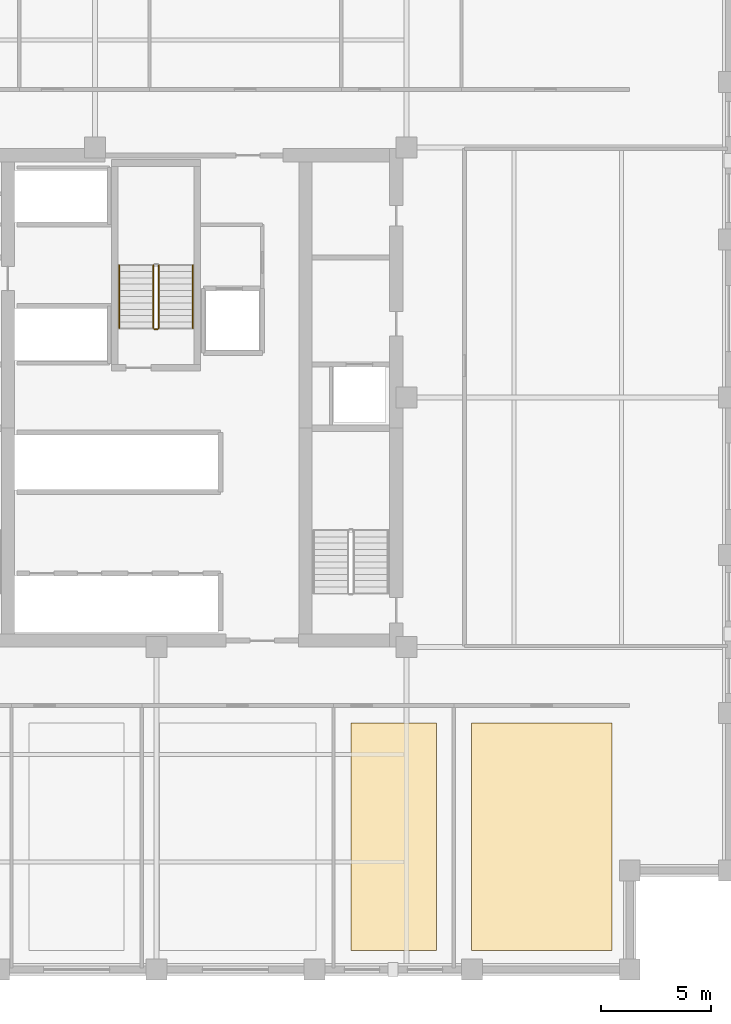
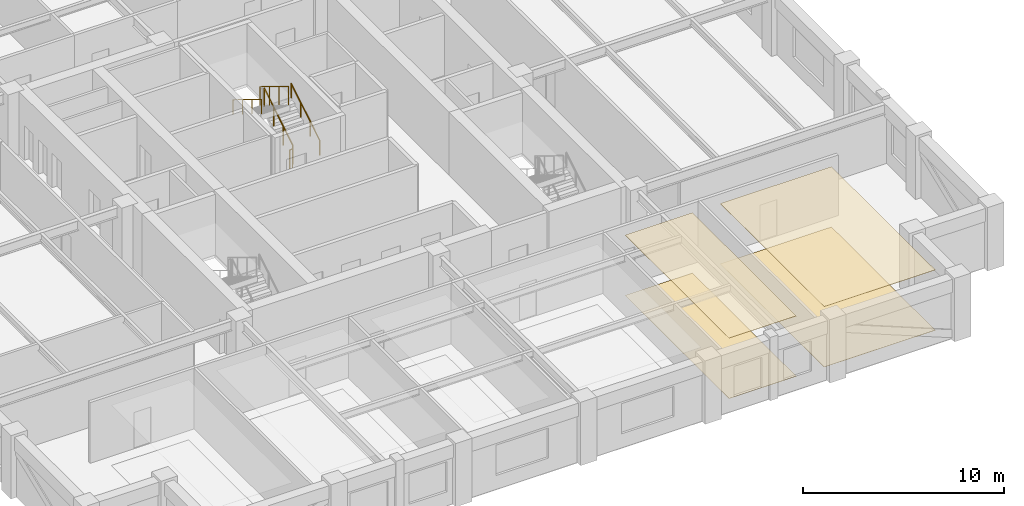
# One storey, part 8 of 9: 5 railings, 4 coverings.
"""IFC4 building model written with IfcOpenShell, lengths in metres."""

from ifc_helpers import new_model, si_unit, direction, frame, origin, origin_2d, place, context, subcontext, project, spatial, polyline, circle, outline, extrude, material, layer, layer_set, type_object, element, save


model = new_model("IFC4")

# Units and contexts
model_context = context("Model", 3, precision=1e-05, world=origin(), true_north=direction((0.0, 1.0)))
body_context = subcontext(model_context, "Body", "Model", "MODEL_VIEW")
ifc_project = project(units=[si_unit("LENGTHUNIT", "METRE"), si_unit("AREAUNIT", "SQUARE_METRE"), si_unit("VOLUMEUNIT", "CUBIC_METRE"), si_unit("PLANEANGLEUNIT", "RADIAN"), si_unit("MASSUNIT", "GRAM", prefix="KILO")], contexts=[model_context])

# Site, building, storey
site_placement = place(None, origin())
site = spatial("IfcSite", under=ifc_project, at=site_placement, CompositionType="ELEMENT")
building_placement = place(site_placement, origin())
building = spatial("IfcBuilding", under=site, at=building_placement, Name="Nhamokura Convention Tower", CompositionType="ELEMENT")
storey_placement = place(building_placement, frame((0.0, 0.0, 122.14990234375)))
storey = spatial("IfcBuildingStorey", under=building, at=storey_placement, Name="L29", CompositionType="ELEMENT", Elevation=122.14990234375)

# Coverings
ifc_material_1 = material(Name="Mineral-fibre acoustic ceiling tile", Category="gypsum")
ifc_layer_1 = layer(ifc_material_1, 0.02490234375)
ifc_layer_set_1 = layer_set([ifc_layer_1], Name="AcousticTileCeiling_25")
covering_type_1 = type_object("IfcCoveringType", Name="AcousticTileCeiling_25", PredefinedType="CEILING", material=ifc_layer_set_1)
covering_1_placement = place(storey_placement, frame((0.0, 0.0, 3.66015625)))
element("IfcCovering", 1, at=covering_1_placement, inside=storey, type_object=covering_type_1, Name="L29 Suspended Ceiling 05", PredefinedType="CEILING", context=body_context, shape_type="SweptSolid", body=[
    extrude(outline(polyline([(40.841796875, 6.860107421875), (44.708251953125, 6.860107421875), (44.708251953125, 17.199951171875), (40.841796875, 17.199951171875), (40.841796875, 6.860107421875)])), origin(), (0.0, 0.0, 1.0), 0.02490234375),
])
covering_2_placement = place(storey_placement, frame((0.0, 0.0, 3.66015625)))
element("IfcCovering", 2, at=covering_2_placement, inside=storey, type_object=covering_type_1, Name="L29 Suspended Ceiling 06", PredefinedType="CEILING", context=body_context, shape_type="SweptSolid", body=[
    extrude(outline(polyline([(46.308349609375, 6.860107421875), (52.699951171875, 6.860107421875), (52.699951171875, 17.199951171875), (46.308349609375, 17.199951171875), (46.308349609375, 6.860107421875)])), origin(), (0.0, 0.0, 1.0), 0.02490234375),
])

# Railings
ifc_material_2 = material(Name="Anodised bronze stainless steel", Category="steel")
railing_type_1 = type_object("IfcRailingType", Name="StairWallHandrail_900", PredefinedType="HANDRAIL", material=ifc_material_2)
railing_1_placement = place(storey_placement, frame((33.64990234375, 35.14990234375, 0.175048828125)))
element("IfcRailing", 3, at=railing_1_placement, inside=storey, type_object=railing_type_1, Name="L29 ST-03 stair handrail 1", PredefinedType="HANDRAIL", context=body_context, shape_type="SweptSolid", body=[
    extrude(circle(Radius=0.02392578125, at=origin_2d()), frame((0.0, 0.0, 0.8759765625), z_axis=(0.0, 0.852179220489, 0.52325001306), x_axis=(-1.0, 0.0, 0.0)), (0.0, 0.0, 1.0), 3.344482421875),
    extrude(circle(Radius=0.02099609375, at=origin_2d()), origin(), (0.0, 0.0, 1.0), 0.851806640625),
    extrude(circle(Radius=0.02099609375, at=origin_2d()), frame((0.0, 0.949951171875, 0.583251953125)), (0.0, 0.0, 1.0), 0.851806640625),
    extrude(circle(Radius=0.02099609375, at=origin_2d()), frame((0.0, 1.900146484375, 1.166748046875)), (0.0, 0.0, 1.0), 0.851806640625),
    extrude(circle(Radius=0.02099609375, at=origin_2d()), frame((0.0, 2.85009765625, 1.75)), (0.0, 0.0, 1.0), 0.851806640625),
])
railing_2_placement = place(storey_placement, frame((30.300048828125, 38.0, 2.10009765625)))
element("IfcRailing", 4, at=railing_2_placement, inside=storey, type_object=railing_type_1, Name="L29 ST-03 stair handrail 2", PredefinedType="HANDRAIL", context=body_context, shape_type="SweptSolid", body=[
    extrude(circle(Radius=0.02392578125, at=origin_2d()), frame((0.0, 0.0, 0.8759765625), z_axis=(0.0, -0.852179220489, 0.52325001306), x_axis=(1.0, 0.0, 0.0)), (0.0, 0.0, 1.0), 3.344482421875),
    extrude(circle(Radius=0.02099609375, at=origin_2d()), origin(), (0.0, 0.0, 1.0), 0.851806640625),
    extrude(circle(Radius=0.02099609375, at=origin_2d()), frame((0.0, -0.949951171875, 0.583251953125)), (0.0, 0.0, 1.0), 0.851806640625),
    extrude(circle(Radius=0.02099609375, at=origin_2d()), frame((0.0, -1.900146484375, 1.166748046875)), (0.0, 0.0, 1.0), 0.851806640625),
    extrude(circle(Radius=0.02099609375, at=origin_2d()), frame((0.0, -2.85009765625, 1.75)), (0.0, 0.0, 1.0), 0.851806640625),
])
ifc_material_3 = material(Name="Painted tubular steel", Category="steel")
railing_type_2 = type_object("IfcRailingType", Name="StairWellGuardrail_1150", PredefinedType="GUARDRAIL", material=ifc_material_3)
railing_3_placement = place(storey_placement, frame((32.10009765625, 35.14990234375, 0.175048828125)))
element("IfcRailing", 5, at=railing_3_placement, inside=storey, type_object=railing_type_2, Name="L29 ST-03 stair guard 1", PredefinedType="GUARDRAIL", context=body_context, shape_type="SweptSolid", body=[
    extrude(circle(Radius=0.02392578125, at=origin_2d()), frame((0.0, 0.0, 1.1259765625), z_axis=(0.0, 0.852179220489, 0.52325001306), x_axis=(-1.0, 0.0, 0.0)), (0.0, 0.0, 1.0), 3.344482421875),
    extrude(circle(Radius=0.02099609375, at=origin_2d()), origin(), (0.0, 0.0, 1.0), 1.101806640625),
    extrude(circle(Radius=0.02099609375, at=origin_2d()), frame((0.0, 0.949951171875, 0.583251953125)), (0.0, 0.0, 1.0), 1.101806640625),
    extrude(circle(Radius=0.02099609375, at=origin_2d()), frame((0.0, 1.900146484375, 1.166748046875)), (0.0, 0.0, 1.0), 1.101806640625),
    extrude(circle(Radius=0.02099609375, at=origin_2d()), frame((0.0, 2.85009765625, 1.75)), (0.0, 0.0, 1.0), 1.101806640625),
])
railing_4_placement = place(storey_placement, frame((31.85009765625, 38.0, 2.10009765625)))
element("IfcRailing", 6, at=railing_4_placement, inside=storey, type_object=railing_type_2, Name="L29 ST-03 stair guard 3", PredefinedType="GUARDRAIL", context=body_context, shape_type="SweptSolid", body=[
    extrude(circle(Radius=0.02392578125, at=origin_2d()), frame((0.0, 0.0, 1.1259765625), z_axis=(0.0, -0.852179220489, 0.52325001306), x_axis=(1.0, 0.0, 0.0)), (0.0, 0.0, 1.0), 3.344482421875),
    extrude(circle(Radius=0.02099609375, at=origin_2d()), origin(), (0.0, 0.0, 1.0), 1.101806640625),
    extrude(circle(Radius=0.02099609375, at=origin_2d()), frame((0.0, -0.949951171875, 0.583251953125)), (0.0, 0.0, 1.0), 1.101806640625),
    extrude(circle(Radius=0.02099609375, at=origin_2d()), frame((0.0, -1.900146484375, 1.166748046875)), (0.0, 0.0, 1.0), 1.101806640625),
    extrude(circle(Radius=0.02099609375, at=origin_2d()), frame((0.0, -2.85009765625, 1.75)), (0.0, 0.0, 1.0), 1.101806640625),
])
railing_5_placement = place(storey_placement, frame((32.050048828125, 35.10009765625, 0.0)))
element("IfcRailing", 7, at=railing_5_placement, inside=storey, type_object=railing_type_2, Name="L29 ST-03 stair guard 4", PredefinedType="GUARDRAIL", context=body_context, shape_type="SweptSolid", body=[
    extrude(circle(Radius=0.02392578125, at=origin_2d()), frame((0.0, 0.0, 1.1259765625), z_axis=(-1.0, 0.0, 0.0), x_axis=(0.0, -1.0, 0.0)), (0.0, 0.0, 1.0), 0.150146484375),
    extrude(circle(Radius=0.02099609375, at=origin_2d()), origin(), (0.0, 0.0, 1.0), 1.101806640625),
    extrude(circle(Radius=0.02099609375, at=origin_2d()), frame((-0.150146484375, 0.0, 0.0)), (0.0, 0.0, 1.0), 1.101806640625),
])

# Coverings
ifc_material_4 = material(Name="Acoustic woven hospitality carpet", Category="wood")
ifc_layer_2 = layer(ifc_material_4, 0.014892578125)
ifc_layer_set_2 = layer_set([ifc_layer_2], Name="WovenCarpetFlooring_15")
covering_type_2 = type_object("IfcCoveringType", Name="WovenCarpetFlooring_15", PredefinedType="FLOORING", material=ifc_layer_set_2)
covering_3_placement = place(storey_placement, origin())
element("IfcCovering", 8, at=covering_3_placement, inside=storey, type_object=covering_type_2, Name="L29 Finish Flooring 05", PredefinedType="FLOORING", context=body_context, shape_type="SweptSolid", body=[
    extrude(outline(polyline([(40.841796875, 6.860107421875), (44.708251953125, 6.860107421875), (44.708251953125, 17.199951171875), (40.841796875, 17.199951171875), (40.841796875, 6.860107421875)])), origin(), (0.0, 0.0, 1.0), 0.01513671875),
])
covering_4_placement = place(storey_placement, origin())
element("IfcCovering", 9, at=covering_4_placement, inside=storey, type_object=covering_type_2, Name="L29 Finish Flooring 06", PredefinedType="FLOORING", context=body_context, shape_type="SweptSolid", body=[
    extrude(outline(polyline([(46.308349609375, 6.860107421875), (52.699951171875, 6.860107421875), (52.699951171875, 17.199951171875), (46.308349609375, 17.199951171875), (46.308349609375, 6.860107421875)])), origin(), (0.0, 0.0, 1.0), 0.01513671875),
])

save(model, "model.ifc")
